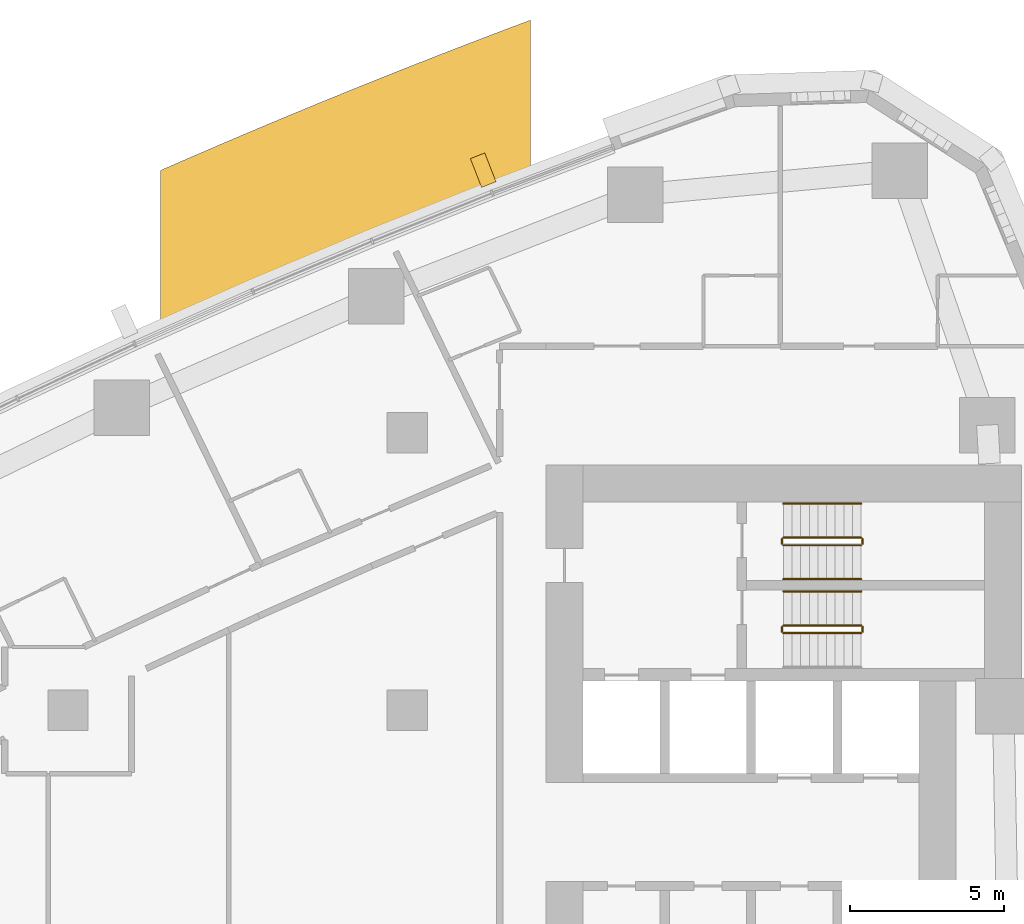
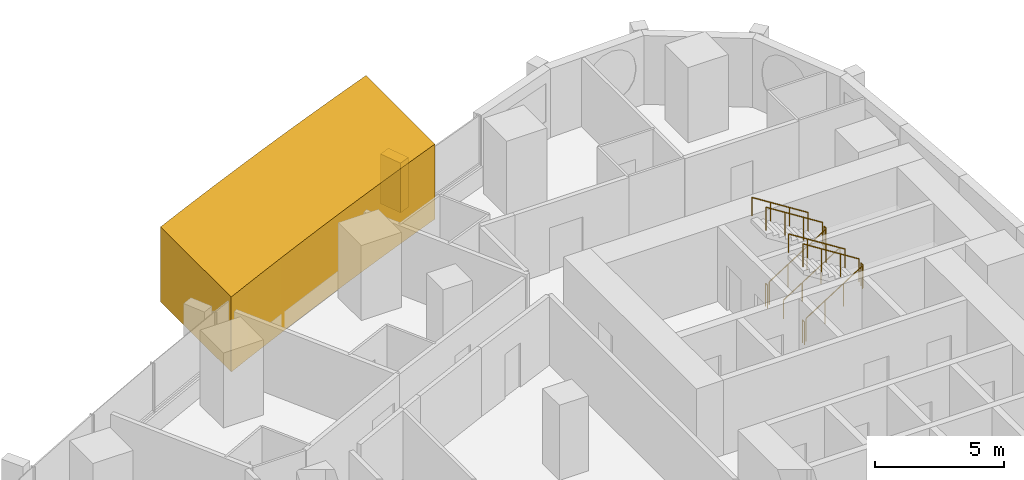
# One storey, part 18 of 19: 11 railings, 2 coverings.
"""IFC4 building model written with IfcOpenShell, lengths in metres."""

from ifc_helpers import new_model, si_unit, direction, frame, frame_2d, origin, origin_2d, place, context, subcontext, project, spatial, polyline, rectangle, circle, outline, extrude, material, layer, layer_set, type_object, element, save


model = new_model("IFC4")

# Units and contexts
model_context = context("Model", 3, precision=1e-05, world=origin(), true_north=direction((0.0, 1.0)))
body_context = subcontext(model_context, "Body", "Model", "MODEL_VIEW")
ifc_project = project(units=[si_unit("LENGTHUNIT", "METRE"), si_unit("AREAUNIT", "SQUARE_METRE"), si_unit("VOLUMEUNIT", "CUBIC_METRE"), si_unit("PLANEANGLEUNIT", "RADIAN"), si_unit("MASSUNIT", "GRAM", prefix="KILO")], contexts=[model_context])

# Site, building, storey
site_placement = place(None, origin())
site = spatial("IfcSite", under=ifc_project, at=site_placement, CompositionType="ELEMENT")
building_placement = place(site_placement, origin())
building = spatial("IfcBuilding", under=site, at=building_placement, Name="Ostrand Prow Hotel Tower", CompositionType="ELEMENT")
storey_placement = place(building_placement, frame((0.0, 0.0, 53.800048828125)))
storey = spatial("IfcBuildingStorey", under=building, at=storey_placement, Name="L11", CompositionType="ELEMENT", Elevation=53.800048828125)

# Coverings
ifc_material_1 = material(Name="Limestone cladding", Category="masonry")
ifc_layer_1 = layer(ifc_material_1, 5.0)
ifc_layer_set_1 = layer_set([ifc_layer_1], Name="Limestone cladding")
covering_type_1 = type_object("IfcCoveringType", Name="Portal jamb pilaster limestone", PredefinedType="CLADDING", material=ifc_layer_set_1)
covering_1_placement = place(storey_placement, origin())
element("IfcCovering", 1, at=covering_1_placement, inside=storey, type_object=covering_type_1, Name="Portal jamb NB L11", PredefinedType="CLADDING", context=body_context, shape_type="SweptSolid", body=[
    extrude(outline(polyline([(37.0, 21.037109375), (38.0, 21.484619140625), (39.0, 21.9267578125), (40.0, 22.363037109375), (41.0, 22.793701171875), (42.0, 23.218505859375), (43.0, 23.637939453125), (44.0, 24.051513671875), (45.0, 24.459716796875), (46.0, 24.862548828125), (47.0, 25.259765625), (48.0, 25.6513671875), (49.0, 26.03759765625), (49.0, 31.384521484375), (48.0, 31.0078125), (47.0, 30.62548828125), (46.0, 30.23828125), (45.0, 29.845703125), (44.0, 29.447509765625), (43.0, 29.044189453125), (42.0, 28.635498046875), (41.0, 28.22119140625), (40.0, 27.801513671875), (39.0, 27.376220703125), (38.0, 26.945556640625), (37.0, 26.50927734375), (37.0, 21.037109375)])), origin(), (0.0, 0.0, 1.0), 3.550048828125),
])
ifc_material_2 = material(Name="Limestone cladding", Category="masonry")
ifc_layer_2 = layer(ifc_material_2, 0.5)
ifc_layer_set_2 = layer_set([ifc_layer_2], Name="Limestone cladding")
covering_type_2 = type_object("IfcCoveringType", Name="Precast stone fin 500x900", PredefinedType="CLADDING", material=ifc_layer_set_2)
covering_2_placement = place(storey_placement, frame((47.64404296875, 26.04931640625, 0.89990234375), z_axis=(0.0, 0.0, 1.0), x_axis=(-0.363294415892, 0.931674389141, 0.0)))
element("IfcCovering", 2, at=covering_2_placement, inside=storey, type_object=covering_type_2, Name="Stone fin N 2", PredefinedType="CLADDING", context=body_context, shape_type="SweptSolid", body=[
    extrude(rectangle(XDim=1.0, YDim=0.5, at=frame_2d((0.5, 0.0))), origin(), (0.0, 0.0, 1.0), 2.35009765625),
])

# Railings
ifc_material_3 = material(Name="Painted steel", Category="steel")
railing_type_1 = type_object("IfcRailingType", Name="Stair guard 1100", PredefinedType="GUARDRAIL", material=ifc_material_3)
railing_1_placement = place(storey_placement, frame((57.199951171875, 11.5, 0.177490234375)))
element("IfcRailing", 3, at=railing_1_placement, inside=storey, type_object=railing_type_1, Name="L11 ST1C stair guard 1", PredefinedType="GUARDRAIL", context=body_context, shape_type="SweptSolid", body=[
    extrude(circle(Radius=0.02392578125, at=origin_2d()), frame((0.0, 0.0, 1.076171875), z_axis=(0.84460694969, 0.0, 0.535386869969), x_axis=(0.0, 1.0, 0.0)), (0.0, 0.0, 1.0), 2.983642578125),
    extrude(circle(Radius=0.02099609375, at=origin_2d()), origin(), (0.0, 0.0, 1.0), 1.052001953125),
    extrude(circle(Radius=0.02099609375, at=origin_2d()), frame((0.840087890625, 0.0, 0.532470703125)), (0.0, 0.0, 1.0), 1.052001953125),
    extrude(circle(Radius=0.02099609375, at=origin_2d()), frame((1.679931640625, 0.0, 1.06494140625)), (0.0, 0.0, 1.0), 1.052001953125),
    extrude(circle(Radius=0.02099609375, at=origin_2d()), frame((2.52001953125, 0.0, 1.597412109375)), (0.0, 0.0, 1.0), 1.052001953125),
])
railing_2_placement = place(storey_placement, frame((59.77001953125, 11.550048828125, 1.77490234375)))
element("IfcRailing", 4, at=railing_2_placement, inside=storey, type_object=railing_type_1, Name="L11 ST1C stair guard 2", PredefinedType="GUARDRAIL", context=body_context, shape_type="SweptSolid", body=[
    extrude(circle(Radius=0.02392578125, at=origin_2d()), frame((0.0, 0.0, 1.076171875), z_axis=(0.0, 1.0, 0.0), x_axis=(-1.0, 0.0, 0.0)), (0.0, 0.0, 1.0), 0.14990234375),
    extrude(circle(Radius=0.02099609375, at=origin_2d()), origin(), (0.0, 0.0, 1.0), 1.052001953125),
    extrude(circle(Radius=0.02099609375, at=origin_2d()), frame((0.0, 0.14990234375, 0.0)), (0.0, 0.0, 1.0), 1.052001953125),
])
railing_3_placement = place(storey_placement, frame((59.719970703125, 11.75, 1.952392578125)))
element("IfcRailing", 5, at=railing_3_placement, inside=storey, type_object=railing_type_1, Name="L11 ST1C stair guard 3", PredefinedType="GUARDRAIL", context=body_context, shape_type="SweptSolid", body=[
    extrude(circle(Radius=0.02392578125, at=origin_2d()), frame((0.0, 0.0, 1.076171875), z_axis=(-0.84456994832, 0.0, 0.535445237532), x_axis=(0.0, -1.0, 0.0)), (0.0, 0.0, 1.0), 2.98388671875),
    extrude(circle(Radius=0.02099609375, at=origin_2d()), origin(), (0.0, 0.0, 1.0), 1.052001953125),
    extrude(circle(Radius=0.02099609375, at=origin_2d()), frame((-0.840087890625, 0.0, 0.532470703125)), (0.0, 0.0, 1.0), 1.052001953125),
    extrude(circle(Radius=0.02099609375, at=origin_2d()), frame((-1.679931640625, 0.0, 1.065185546875)), (0.0, 0.0, 1.0), 1.052001953125),
    extrude(circle(Radius=0.02099609375, at=origin_2d()), frame((-2.52001953125, 0.0, 1.59765625)), (0.0, 0.0, 1.0), 1.052001953125),
])
railing_4_placement = place(storey_placement, frame((57.14990234375, 11.550048828125, 0.0)))
element("IfcRailing", 6, at=railing_4_placement, inside=storey, type_object=railing_type_1, Name="L11 ST1C stair guard 4", PredefinedType="GUARDRAIL", context=body_context, shape_type="SweptSolid", body=[
    extrude(circle(Radius=0.02392578125, at=origin_2d()), frame((0.0, 0.0, 1.076171875), z_axis=(0.0, 1.0, 0.0), x_axis=(-1.0, 0.0, 0.0)), (0.0, 0.0, 1.0), 0.14990234375),
    extrude(circle(Radius=0.02099609375, at=origin_2d()), origin(), (0.0, 0.0, 1.0), 1.052001953125),
    extrude(circle(Radius=0.02099609375, at=origin_2d()), frame((0.0, 0.14990234375, 0.0)), (0.0, 0.0, 1.0), 1.052001953125),
])
railing_5_placement = place(storey_placement, frame((57.199951171875, 14.35009765625, 0.177490234375)))
element("IfcRailing", 7, at=railing_5_placement, inside=storey, type_object=railing_type_1, Name="L11 ST3C stair guard 1", PredefinedType="GUARDRAIL", context=body_context, shape_type="SweptSolid", body=[
    extrude(circle(Radius=0.02392578125, at=origin_2d()), frame((0.0, 0.0, 1.076171875), z_axis=(0.84460694969, 0.0, 0.535386869969), x_axis=(0.0, 1.0, 0.0)), (0.0, 0.0, 1.0), 2.983642578125),
    extrude(circle(Radius=0.02099609375, at=origin_2d()), origin(), (0.0, 0.0, 1.0), 1.052001953125),
    extrude(circle(Radius=0.02099609375, at=origin_2d()), frame((0.840087890625, 0.0, 0.532470703125)), (0.0, 0.0, 1.0), 1.052001953125),
    extrude(circle(Radius=0.02099609375, at=origin_2d()), frame((1.679931640625, 0.0, 1.06494140625)), (0.0, 0.0, 1.0), 1.052001953125),
    extrude(circle(Radius=0.02099609375, at=origin_2d()), frame((2.52001953125, 0.0, 1.597412109375)), (0.0, 0.0, 1.0), 1.052001953125),
])
railing_6_placement = place(storey_placement, frame((59.77001953125, 14.39990234375, 1.77490234375)))
element("IfcRailing", 8, at=railing_6_placement, inside=storey, type_object=railing_type_1, Name="L11 ST3C stair guard 2", PredefinedType="GUARDRAIL", context=body_context, shape_type="SweptSolid", body=[
    extrude(circle(Radius=0.02392578125, at=origin_2d()), frame((0.0, 0.0, 1.076171875), z_axis=(0.0, 1.0, 0.0), x_axis=(-1.0, 0.0, 0.0)), (0.0, 0.0, 1.0), 0.150146484375),
    extrude(circle(Radius=0.02099609375, at=origin_2d()), origin(), (0.0, 0.0, 1.0), 1.052001953125),
    extrude(circle(Radius=0.02099609375, at=origin_2d()), frame((0.0, 0.150146484375, 0.0)), (0.0, 0.0, 1.0), 1.052001953125),
])
railing_7_placement = place(storey_placement, frame((59.719970703125, 14.60009765625, 1.952392578125)))
element("IfcRailing", 9, at=railing_7_placement, inside=storey, type_object=railing_type_1, Name="L11 ST3C stair guard 3", PredefinedType="GUARDRAIL", context=body_context, shape_type="SweptSolid", body=[
    extrude(circle(Radius=0.02392578125, at=origin_2d()), frame((0.0, 0.0, 1.076171875), z_axis=(-0.84456994832, 0.0, 0.535445237532), x_axis=(0.0, -1.0, 0.0)), (0.0, 0.0, 1.0), 2.98388671875),
    extrude(circle(Radius=0.02099609375, at=origin_2d()), origin(), (0.0, 0.0, 1.0), 1.052001953125),
    extrude(circle(Radius=0.02099609375, at=origin_2d()), frame((-0.840087890625, 0.0, 0.532470703125)), (0.0, 0.0, 1.0), 1.052001953125),
    extrude(circle(Radius=0.02099609375, at=origin_2d()), frame((-1.679931640625, 0.0, 1.065185546875)), (0.0, 0.0, 1.0), 1.052001953125),
    extrude(circle(Radius=0.02099609375, at=origin_2d()), frame((-2.52001953125, 0.0, 1.59765625)), (0.0, 0.0, 1.0), 1.052001953125),
])
railing_8_placement = place(storey_placement, frame((57.14990234375, 14.39990234375, 0.0)))
element("IfcRailing", 10, at=railing_8_placement, inside=storey, type_object=railing_type_1, Name="L11 ST3C stair guard 4", PredefinedType="GUARDRAIL", context=body_context, shape_type="SweptSolid", body=[
    extrude(circle(Radius=0.02392578125, at=origin_2d()), frame((0.0, 0.0, 1.076171875), z_axis=(0.0, 1.0, 0.0), x_axis=(-1.0, 0.0, 0.0)), (0.0, 0.0, 1.0), 0.150146484375),
    extrude(circle(Radius=0.02099609375, at=origin_2d()), origin(), (0.0, 0.0, 1.0), 1.052001953125),
    extrude(circle(Radius=0.02099609375, at=origin_2d()), frame((0.0, 0.150146484375, 0.0)), (0.0, 0.0, 1.0), 1.052001953125),
])
ifc_material_4 = material(Name="Stainless steel", Category="steel")
railing_type_2 = type_object("IfcRailingType", Name="Stair handrail 900", PredefinedType="HANDRAIL", material=ifc_material_4)
railing_9_placement = place(storey_placement, frame((59.719970703125, 12.85009765625, 1.952392578125)))
element("IfcRailing", 11, at=railing_9_placement, inside=storey, type_object=railing_type_2, Name="L11 ST1C stair handrail 2", PredefinedType="HANDRAIL", context=body_context, shape_type="SweptSolid", body=[
    extrude(circle(Radius=0.02392578125, at=origin_2d()), frame((0.0, 0.0, 0.8759765625), z_axis=(-0.84456994832, 0.0, 0.535445237532), x_axis=(0.0, -1.0, 0.0)), (0.0, 0.0, 1.0), 2.98388671875),
    extrude(circle(Radius=0.02099609375, at=origin_2d()), origin(), (0.0, 0.0, 1.0), 0.851806640625),
    extrude(circle(Radius=0.02099609375, at=origin_2d()), frame((-0.840087890625, 0.0, 0.532470703125)), (0.0, 0.0, 1.0), 0.851806640625),
    extrude(circle(Radius=0.02099609375, at=origin_2d()), frame((-1.679931640625, 0.0, 1.065185546875)), (0.0, 0.0, 1.0), 0.851806640625),
    extrude(circle(Radius=0.02099609375, at=origin_2d()), frame((-2.52001953125, 0.0, 1.59765625)), (0.0, 0.0, 1.0), 0.851806640625),
])
railing_10_placement = place(storey_placement, frame((57.199951171875, 13.25, 0.177490234375)))
element("IfcRailing", 12, at=railing_10_placement, inside=storey, type_object=railing_type_2, Name="L11 ST3C stair handrail 1", PredefinedType="HANDRAIL", context=body_context, shape_type="SweptSolid", body=[
    extrude(circle(Radius=0.02392578125, at=origin_2d()), frame((0.0, 0.0, 0.8759765625), z_axis=(0.84460694969, 0.0, 0.535386869969), x_axis=(0.0, 1.0, 0.0)), (0.0, 0.0, 1.0), 2.983642578125),
    extrude(circle(Radius=0.02099609375, at=origin_2d()), origin(), (0.0, 0.0, 1.0), 0.851806640625),
    extrude(circle(Radius=0.02099609375, at=origin_2d()), frame((0.840087890625, 0.0, 0.532470703125)), (0.0, 0.0, 1.0), 0.851806640625),
    extrude(circle(Radius=0.02099609375, at=origin_2d()), frame((1.679931640625, 0.0, 1.06494140625)), (0.0, 0.0, 1.0), 0.851806640625),
    extrude(circle(Radius=0.02099609375, at=origin_2d()), frame((2.52001953125, 0.0, 1.597412109375)), (0.0, 0.0, 1.0), 0.851806640625),
])
railing_11_placement = place(storey_placement, frame((59.719970703125, 15.699951171875, 1.952392578125)))
element("IfcRailing", 13, at=railing_11_placement, inside=storey, type_object=railing_type_2, Name="L11 ST3C stair handrail 2", PredefinedType="HANDRAIL", context=body_context, shape_type="SweptSolid", body=[
    extrude(circle(Radius=0.02392578125, at=origin_2d()), frame((0.0, 0.0, 0.8759765625), z_axis=(-0.84456994832, 0.0, 0.535445237532), x_axis=(0.0, -1.0, 0.0)), (0.0, 0.0, 1.0), 2.98388671875),
    extrude(circle(Radius=0.02099609375, at=origin_2d()), origin(), (0.0, 0.0, 1.0), 0.851806640625),
    extrude(circle(Radius=0.02099609375, at=origin_2d()), frame((-0.840087890625, 0.0, 0.532470703125)), (0.0, 0.0, 1.0), 0.851806640625),
    extrude(circle(Radius=0.02099609375, at=origin_2d()), frame((-1.679931640625, 0.0, 1.065185546875)), (0.0, 0.0, 1.0), 0.851806640625),
    extrude(circle(Radius=0.02099609375, at=origin_2d()), frame((-2.52001953125, 0.0, 1.59765625)), (0.0, 0.0, 1.0), 0.851806640625),
])

save(model, "model.ifc")
